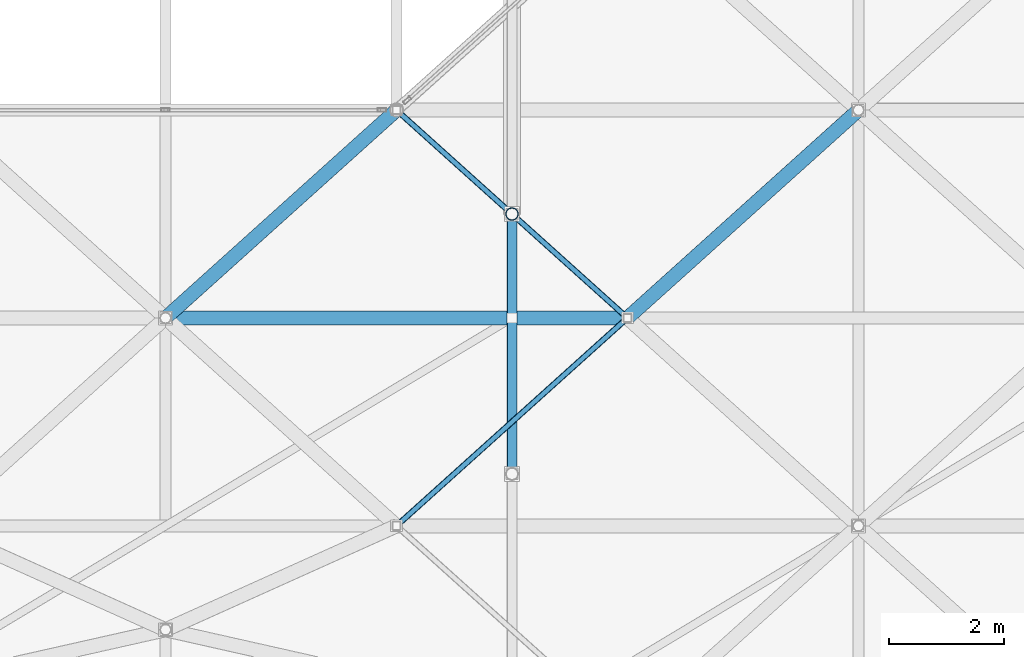
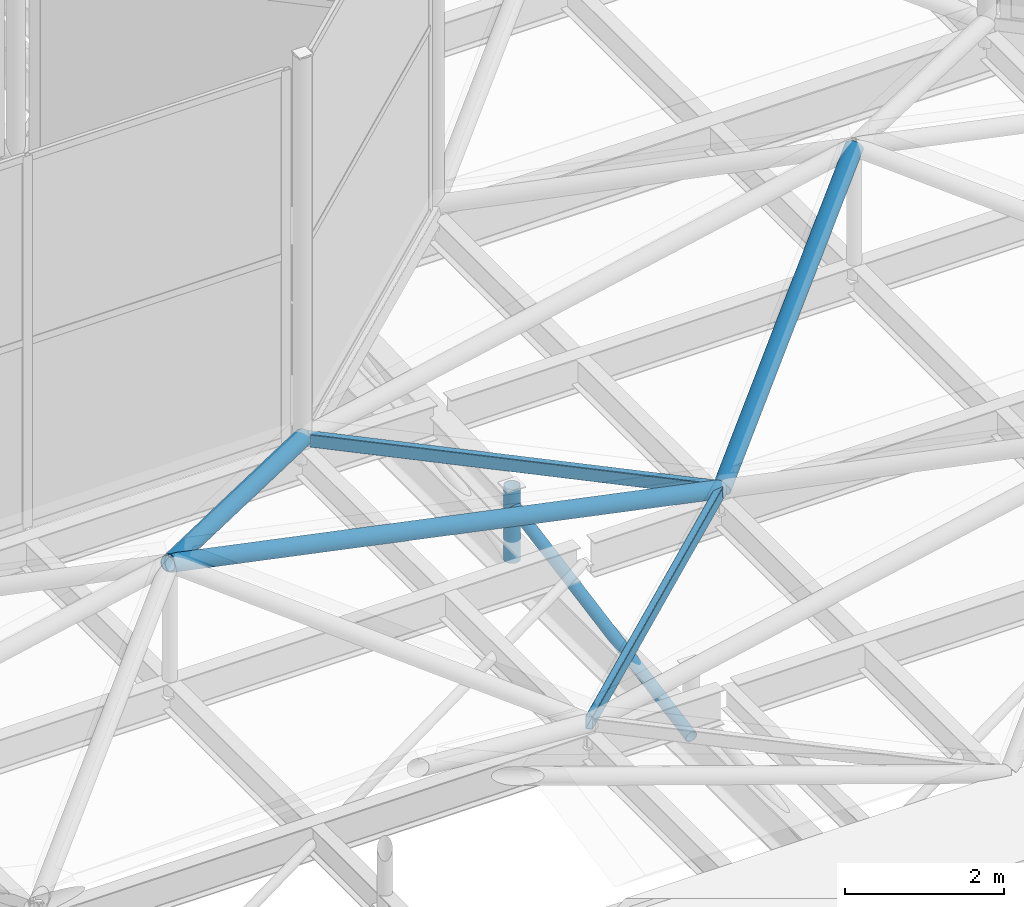
# One storey, part 25 of 239: 5 members, 2 beams.
"""IFC4 building model written with IfcOpenShell, lengths in metres."""

from ifc_helpers import new_model, si_unit, direction, frame, origin, origin_2d, place, context, subcontext, project, spatial, hollow_rectangle, hollow_circle, extrude, material, material_profile, profile_set, type_object, element, save


model = new_model("IFC4")

# Units and contexts
model_context = context("Model", 3, precision=1e-05, world=origin(), true_north=direction((0.0, 1.0)))
body_context = subcontext(model_context, "Body", "Model", "MODEL_VIEW")
ifc_project = project(units=[si_unit("LENGTHUNIT", "METRE"), si_unit("AREAUNIT", "SQUARE_METRE"), si_unit("VOLUMEUNIT", "CUBIC_METRE"), si_unit("PLANEANGLEUNIT", "RADIAN"), si_unit("MASSUNIT", "GRAM", prefix="KILO")], contexts=[model_context])

# Site, building, storey
site_placement = place(None, origin())
site = spatial("IfcSite", under=ifc_project, at=site_placement, CompositionType="ELEMENT")
building_placement = place(site_placement, origin())
building = spatial("IfcBuilding", under=site, at=building_placement, Name="Dunvalen Ferry Terminal", CompositionType="ELEMENT")
storey_placement = place(building_placement, frame((0.0, 0.0, 9.840087890625)))
storey = spatial("IfcBuildingStorey", under=building, at=storey_placement, Name="L02", CompositionType="ELEMENT", Elevation=9.840087890625)

# Beams
ifc_material = material(Name="Steel S355", Category="steel")
ifc_material_profile_1 = material_profile(ifc_material, hollow_rectangle(XDim=0.10009765625, YDim=0.199951171875, WallThickness=0.008056640625, InnerFilletRadius=0.008056640625, OuterFilletRadius=0.01611328125, at=origin_2d()), Name="Steel S355")
ifc_profile_set_1 = profile_set([ifc_material_profile_1], Name="Steel S355")
beam_type = type_object("IfcBeamType", Name="STR-BM-RHS200", PredefinedType="BEAM", material=ifc_profile_set_1)
beam_1_placement = place(storey_placement, frame((58.0, 54.0, 1.099853515625), z_axis=(0.743285123004, 0.668974757313, 0.0), x_axis=(-0.668974757313, 0.743285123004, 0.0)))
element("IfcBeam", 1, at=beam_1_placement, inside=storey, type_object=beam_type, Name="HEX-24 Hexagonal Rim Beam 3", PredefinedType="BEAM", context=body_context, shape_type="SweptSolid", body=[
    extrude(hollow_rectangle(XDim=0.10009765625, YDim=0.199951171875, WallThickness=0.008056640625, InnerFilletRadius=0.008056640625, OuterFilletRadius=0.01611328125, at=origin_2d()), origin(), (0.0, 0.0, 1.0), 5.381591796875),
])
beam_2_placement = place(storey_placement, frame((62.0, 57.60009765625, 1.099853515625), z_axis=(-0.74330768127, 0.668949692402, 0.0), x_axis=(-0.668949692402, -0.74330768127, 0.0)))
element("IfcBeam", 2, at=beam_2_placement, inside=storey, type_object=beam_type, Name="HEX-24 Hexagonal Rim Beam 4", PredefinedType="BEAM", context=body_context, shape_type="SweptSolid", body=[
    extrude(hollow_rectangle(XDim=0.10009765625, YDim=0.199951171875, WallThickness=0.008056640625, InnerFilletRadius=0.008056640625, OuterFilletRadius=0.01611328125, at=origin_2d()), origin(), (0.0, 0.0, 1.0), 5.38134765625),
])

# Members
ifc_material_profile_2 = material_profile(ifc_material, hollow_circle(Radius=0.084228515625, WallThickness=0.008056640625, at=origin_2d()), Name="Steel S355")
ifc_profile_set_2 = profile_set([ifc_material_profile_2], Name="Steel S355")
member_type_1 = type_object("IfcMemberType", Name="STR-MB-CHS168", PredefinedType="BRACE", material=ifc_profile_set_2)
member_1_placement = place(storey_placement, frame((60.0, 54.89990234375, -0.360107421875), z_axis=(0.0, 0.983218272848, 0.18243307797), x_axis=(-1.0, 0.0, 0.0)))
element("IfcMember", 3, at=member_1_placement, inside=storey, type_object=member_type_1, Name="Departure Hall Arch Web Diagonal 05.2", PredefinedType="BRACE", context=body_context, shape_type="SweptSolid", body=[
    extrude(hollow_circle(Radius=0.084228515625, WallThickness=0.008056640625, at=origin_2d()), origin(), (0.0, 0.0, 1.0), 4.576904296875),
])
ifc_material_profile_3 = material_profile(ifc_material, hollow_circle(Radius=0.109619140625, WallThickness=0.010009765625, at=origin_2d()), Name="Steel S355")
ifc_profile_set_3 = profile_set([ifc_material_profile_3], Name="Steel S355")
member_type_2 = type_object("IfcMemberType", Name="STR-MB-CHS219", PredefinedType="STRUT", material=ifc_profile_set_3)
member_2_placement = place(storey_placement, frame((60.0, 59.39990234375, -0.360107421875), z_axis=(0.0, 0.0, 1.0), x_axis=(1.0, 0.0, 0.0)))
element("IfcMember", 4, at=member_2_placement, inside=storey, type_object=member_type_2, Name="Departure Hall Arch Spandrel Strut 05.2", PredefinedType="STRUT", context=body_context, shape_type="SweptSolid", body=[
    extrude(hollow_circle(Radius=0.109619140625, WallThickness=0.010009765625, at=origin_2d()), origin(), (0.0, 0.0, 1.0), 1.130126953125),
])
ifc_material_profile_4 = material_profile(ifc_material, hollow_circle(Radius=0.122314453125, WallThickness=0.010009765625, at=origin_2d()), Name="Steel S355")
ifc_profile_set_4 = profile_set([ifc_material_profile_4], Name="Steel S355")
member_type_3 = type_object("IfcMemberType", Name="STR-MB-CHS244", PredefinedType="STRUT", material=ifc_profile_set_4)
member_3_placement = place(storey_placement, frame((62.0, 57.60009765625, 1.099853515625), z_axis=(-0.979020171275, 0.0, 0.203763353518), x_axis=(0.0, -1.0, 0.0)))
element("IfcMember", 5, at=member_3_placement, inside=storey, type_object=member_type_3, Name="HEX-24 Pyramid Hip Rafter 4", PredefinedType="STRUT", context=body_context, shape_type="SweptSolid", body=[
    extrude(hollow_circle(Radius=0.122314453125, WallThickness=0.010009765625, at=origin_2d()), origin(), (0.0, 0.0, 1.0), 8.17138671875),
])
for number, where, z_axis, x_axis, name in (
    (6, (58.0, 61.199951171875, 1.099853515625), (-0.710094348105, -0.639058908863, 0.295583706914), (0.668949692402, -0.74330768127, 0.0), "HEX-24 Pyramid Hip Rafter 5"),
    (7, (62.0, 57.60009765625, 1.099853515625), (0.710094348105, 0.639058908863, 0.295583706914), (-0.668949692402, 0.74330768127, 0.0), "HEX-30 Pyramid Hip Rafter 2"),
):
    element("IfcMember", number, at=place(storey_placement, frame(where, z_axis=z_axis, x_axis=x_axis)), inside=storey, type_object=member_type_3, Name=name, PredefinedType="STRUT", context=body_context, shape_type="SweptSolid", body=[
        extrude(hollow_circle(Radius=0.122314453125, WallThickness=0.010009765625, at=origin_2d()), origin(), (0.0, 0.0, 1.0), 5.633056640625),
    ])

save(model, "model.ifc")
